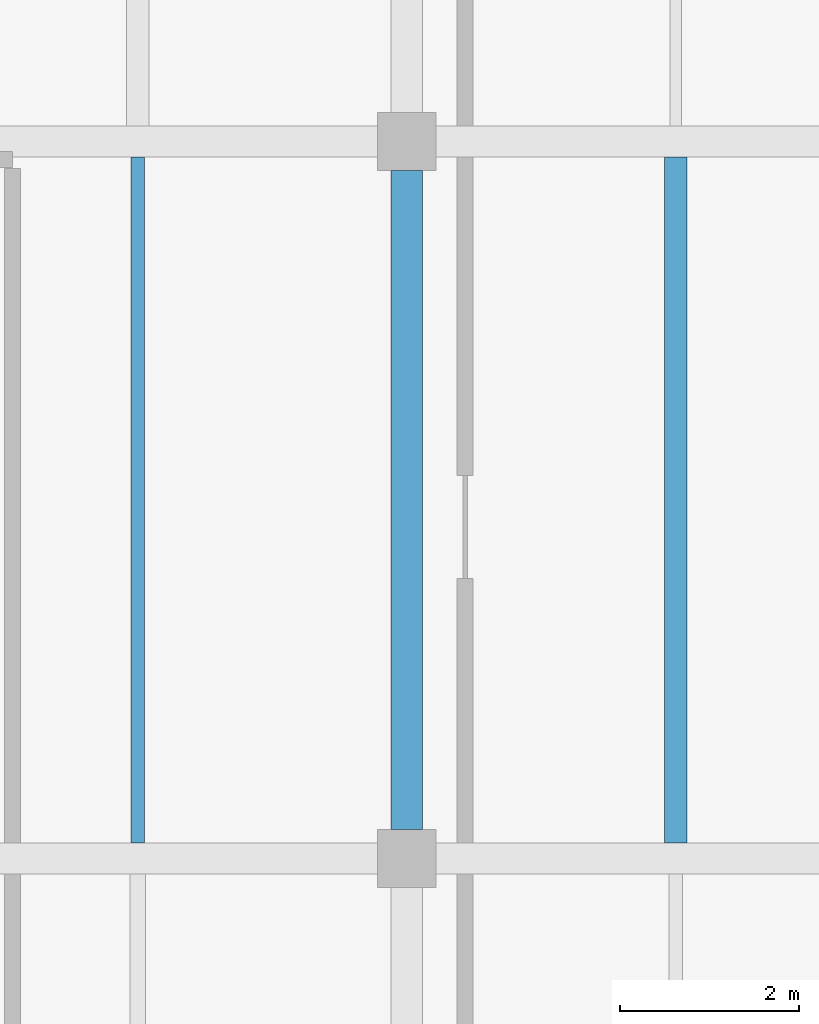
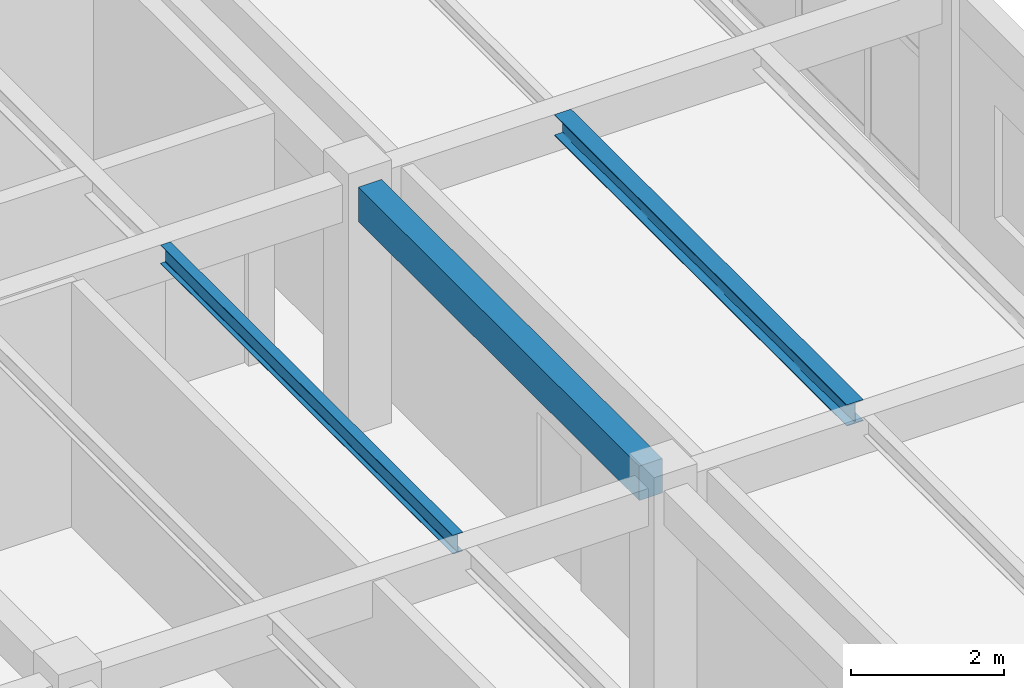
# One storey, part 44 of 71: 3 beams.
"""IFC4 building model written with IfcOpenShell, lengths in metres."""

import ifcopenshell
import ifcopenshell.guid

model = None  # the IFC model being written
_history = None  # IfcOwnerHistory: only IFC2X3 demands one
_inside = {}  # id of a spatial element -> (the spatial element, [elements in it])
_under = {}  # id of a project, library or spatial element -> (it, [spatial elements below it])
_declared = {}  # id of a project -> (the project, [libraries it declares])
_typed = {}  # id of a type object -> (the type object, [elements of that type])
_made_of = {}  # id of a material, layer set ... -> (it, [elements and type objects made of it])


def new_model(schema):
    """Start an empty IFC model of exactly this schema.

    Asked for "IFC4X3", IfcOpenShell would pick the latest addendum, in which some entities
    have other attributes; the version numbers below select the first issue.
    IFC2X3 requires an IfcOwnerHistory on every rooted entity: one is made here for all.
    """
    global model, _history
    if schema == "IFC4X3":
        model = ifcopenshell.file(schema_version=(4, 3, 0, 0))
    else:
        model = ifcopenshell.file(schema=schema)
    _inside.clear()
    _under.clear()
    _declared.clear()
    _typed.clear()
    _made_of.clear()
    _history = None
    if model.schema == "IFC2X3":
        org = make("IfcOrganization", Name="unknown")
        user = make(
            "IfcPersonAndOrganization",
            ThePerson=make("IfcPerson", FamilyName="unknown"),
            TheOrganization=org,
        )
        app = make(
            "IfcApplication",
            ApplicationDeveloper=org,
            Version="unknown",
            ApplicationFullName="unknown",
            ApplicationIdentifier="unknown",
        )
        _history = make(
            "IfcOwnerHistory",
            OwningUser=user,
            OwningApplication=app,
            ChangeAction="ADDED",
            CreationDate=0,
        )
    return model


def make(cls, **values):
    """One entity of the class cls with the attributes given. An attribute that is None is left unset."""
    return model.create_entity(
        cls, **{name: value for name, value in values.items() if value is not None}
    )


def rooted(cls, **values):
    """An entity with a GlobalId (a new one), such as an element, a storey or a relation."""
    return make(cls, GlobalId=ifcopenshell.guid.new(), OwnerHistory=_history, **values)


def si_unit(unit_type, name, prefix=None):
    """IfcSIUnit, for example si_unit("LENGTHUNIT", "METRE", prefix="MILLI")."""
    return make("IfcSIUnit", UnitType=unit_type, Prefix=prefix, Name=name)


def derived_unit(unit_type, elements):
    """IfcDerivedUnit: a product of units, each with its exponent."""
    return make(
        "IfcDerivedUnit",
        Elements=[
            make("IfcDerivedUnitElement", Unit=unit, Exponent=power)
            for unit, power in elements
        ],
        UnitType=unit_type,
    )


def assignment(units):
    """IfcUnitAssignment: the units of a project."""
    return None if units is None else make("IfcUnitAssignment", Units=units)


def point(xyz):
    """IfcCartesianPoint."""
    return None if xyz is None else make("IfcCartesianPoint", Coordinates=xyz)


def direction(xyz):
    """IfcDirection."""
    return None if xyz is None else make("IfcDirection", DirectionRatios=xyz)


def frame(location, z_axis=None, x_axis=None):
    """IfcAxis2Placement3D, a coordinate frame: its origin and axes. An axis left out is left unset."""
    return make(
        "IfcAxis2Placement3D",
        Location=point(location),
        Axis=direction(z_axis),
        RefDirection=direction(x_axis),
    )


def frame_2d(location, x_axis=None):
    """IfcAxis2Placement2D, a coordinate frame in the plane: its origin and x axis."""
    return make(
        "IfcAxis2Placement2D", Location=point(location), RefDirection=direction(x_axis)
    )


def origin():
    """The frame at (0, 0, 0) with its axes left unset."""
    return frame((0.0, 0.0, 0.0))


def origin_2d():
    """The frame at (0, 0) in the plane with its x axis left unset."""
    return frame_2d((0.0, 0.0))


def place(relative_to, where):
    """IfcLocalPlacement: puts the frame where relative to a parent placement (None: the world)."""
    return make(
        "IfcLocalPlacement", PlacementRelTo=relative_to, RelativePlacement=where
    )


def context(
    kind, dimensions, precision=None, world=None, true_north=None, identifier=None
):
    """IfcGeometricRepresentationContext, for example the 3D "Model" context."""
    return make(
        "IfcGeometricRepresentationContext",
        ContextIdentifier=identifier,
        ContextType=kind,
        CoordinateSpaceDimension=dimensions,
        Precision=precision,
        WorldCoordinateSystem=world,
        TrueNorth=true_north,
    )


def subcontext(parent, identifier, kind, view, scale=None):
    """IfcGeometricRepresentationSubContext, for example "Body" below "Model"."""
    return make(
        "IfcGeometricRepresentationSubContext",
        ContextIdentifier=identifier,
        ContextType=kind,
        ParentContext=parent,
        TargetScale=scale,
        TargetView=view,
    )


def project(units=None, contexts=None):
    """IfcProject with its units and contexts."""
    return rooted(
        "IfcProject",
        Name="project",
        RepresentationContexts=contexts,
        UnitsInContext=assignment(units),
    )


def spatial(cls, under=None, at=None, **own):
    """A site, building, storey or space (cls), placed at a placement, below another one or the project."""
    s = rooted(cls, ObjectPlacement=at, **own)
    if under is not None:
        _under.setdefault(under.id(), (under, []))[1].append(s)
    return s


def profile(cls, at=None, kind="AREA", **sizes):
    """A parametric profile (cls). Its sizes go by their IFC names, for example OverallWidth=200.0."""
    return make(cls, ProfileType=kind, Position=at, **sizes)


def rectangle(**sizes):
    """IfcRectangleProfileDef."""
    return profile("IfcRectangleProfileDef", **sizes)


def i_section(**sizes):
    """IfcIShapeProfileDef."""
    return profile("IfcIShapeProfileDef", **sizes)


def extrude(swept, where, along, depth):
    """IfcExtrudedAreaSolid: the profile swept, set in the frame where, extruded along a direction by depth."""
    return make(
        "IfcExtrudedAreaSolid",
        SweptArea=swept,
        Position=where,
        ExtrudedDirection=direction(along),
        Depth=depth,
    )


def shape(context_of_items, identifier, shape_type, items):
    """IfcShapeRepresentation: the items that make up one representation, for example the "Body"."""
    return make(
        "IfcShapeRepresentation",
        ContextOfItems=context_of_items,
        RepresentationIdentifier=identifier,
        RepresentationType=shape_type,
        Items=items,
    )


def material(Name=None, Category=None):
    """IfcMaterial."""
    return make("IfcMaterial", Name=Name, Category=Category)


def material_profile(
    of_material, cross_section, Name=None, Category=None, Priority=None
):
    """IfcMaterialProfile: a cross section and its material."""
    return make(
        "IfcMaterialProfile",
        Name=Name,
        Material=of_material,
        Profile=cross_section,
        Priority=Priority,
        Category=Category,
    )


def profile_set(profiles, Name=None, composite=None):
    """IfcMaterialProfileSet."""
    return make(
        "IfcMaterialProfileSet",
        Name=Name,
        MaterialProfiles=profiles,
        CompositeProfile=composite,
    )


def made_of(thing, what):
    """Note that an element or type object is made of a material, layer set ...; save() writes the relation."""
    if what is not None:
        _made_of.setdefault(what.id(), (what, []))[1].append(thing)
    return thing


def type_object(cls, material=None, **own):
    """A type object (cls), such as IfcWallType, which elements share."""
    return made_of(rooted(cls, **own), material)


def element(
    cls,
    number,
    at=None,
    inside=None,
    cuts=None,
    type_object=None,
    material=None,
    context=None,
    identifier="Body",
    shape_type=None,
    held_by="IfcProductDefinitionShape",
    body=None,
    shapes=None,
    **own,
):
    """One element of the class cls, such as IfcWall. Its Tag is "e" and its number.

    at: its placement. inside: the storey or other place that contains it. cuts: it is an
    opening in that element (IfcRelVoidsElement). A single representation is given by context,
    identifier, shape_type and body (its items); several are given by shapes. held_by: the class
    of the entity that holds the representations. save() writes the other relations.
    """
    e = rooted(cls, Tag="e%d" % number, ObjectPlacement=at, **own)
    if body is not None:
        shapes = [shape(context, identifier, shape_type, body)]
    if shapes is not None:
        e.Representation = make(held_by, Representations=shapes)
    if inside is not None:
        _inside.setdefault(inside.id(), (inside, []))[1].append(e)
    if cuts is not None:
        rooted(
            "IfcRelVoidsElement", RelatingBuildingElement=cuts, RelatedOpeningElement=e
        )
    if type_object is not None:
        _typed.setdefault(type_object.id(), (type_object, []))[1].append(e)
    return made_of(e, material)


def aggregate(whole, parts):
    """IfcRelAggregates: a whole, such as a stair, and the parts it consists of."""
    return rooted("IfcRelAggregates", RelatingObject=whole, RelatedObjects=parts)


def save(model, path):
    """Write the relations noted so far, then the file.

    IfcRelAggregates (storeys below a building ...), IfcRelContainedInSpatialStructure (elements
    in a storey), IfcRelDefinesByType, IfcRelAssociatesMaterial and IfcRelDeclares: one each for
    every whole, place, type object, material and project.
    """
    for whole, parts in _under.values():
        aggregate(whole, parts)
    for where, things in _inside.values():
        rooted(
            "IfcRelContainedInSpatialStructure",
            RelatedElements=things,
            RelatingStructure=where,
        )
    for kind, things in _typed.values():
        rooted("IfcRelDefinesByType", RelatedObjects=things, RelatingType=kind)
    for what, things in _made_of.values():
        rooted("IfcRelAssociatesMaterial", RelatedObjects=things, RelatingMaterial=what)
    for by, libraries in _declared.values():
        rooted("IfcRelDeclares", RelatingContext=by, RelatedDefinitions=libraries)
    model.write(path)


model = new_model("IFC4")

# Units and contexts
model_context = context("Model", 3, precision=1e-05, world=origin(), true_north=direction((0.0, 1.0)))
body_context = subcontext(model_context, "Body", "Model", "MODEL_VIEW")
ifc_project = project(units=[si_unit("LENGTHUNIT", "METRE"), si_unit("AREAUNIT", "SQUARE_METRE"), si_unit("VOLUMEUNIT", "CUBIC_METRE"), si_unit("PLANEANGLEUNIT", "RADIAN"), si_unit("MASSUNIT", "GRAM", prefix="KILO"), derived_unit("THERMALTRANSMITTANCEUNIT", [(si_unit("MASSUNIT", "GRAM", prefix="KILO"), 1), (si_unit("TIMEUNIT", "SECOND"), -3), (si_unit("THERMODYNAMICTEMPERATUREUNIT", "KELVIN"), -1)])], contexts=[model_context])

# Site, building, storey
site_placement = place(None, origin())
site = spatial("IfcSite", under=ifc_project, at=site_placement, CompositionType="ELEMENT")
building_placement = place(site_placement, origin())
building = spatial("IfcBuilding", under=site, at=building_placement, Name="Zhenchuan Archway Interchange", CompositionType="ELEMENT")
storey_placement = place(building_placement, frame((0.0, 0.0, 18.60009765625)))
storey = spatial("IfcBuildingStorey", under=building, at=storey_placement, Name="L04", CompositionType="ELEMENT", Elevation=18.60009765625)

# Beams
ifc_material_1 = material(Name="Concrete C40", Category="concrete")
ifc_material_profile_1 = material_profile(ifc_material_1, rectangle(XDim=0.35009765625, YDim=0.550048828125, at=origin_2d()), Name="RC 350x550")
ifc_profile_set_1 = profile_set([ifc_material_profile_1], Name="Concrete C40")
beam_type_1 = type_object("IfcBeamType", Name="BM_RC_350x550", PredefinedType="BEAM", material=ifc_profile_set_1)
beam_1_placement = place(storey_placement, frame((162.0, 80.324951171875, 3.664794921875), z_axis=(0.0, 1.0, 0.0), x_axis=(-1.0, 0.0, 0.0)))
element("IfcBeam", 1, at=beam_1_placement, inside=storey, type_object=beam_type_1, Name="Beam 19:L-M (L04)", PredefinedType="BEAM", context=body_context, shape_type="SweptSolid", body=[
    extrude(rectangle(XDim=0.35009765625, YDim=0.550048828125, at=origin_2d()), origin(), (0.0, 0.0, 1.0), 7.35009765625),
])
ifc_material_2 = material(Name="Steel Q355", Category="steel")
ifc_material_profile_2 = material_profile(ifc_material_2, i_section(OverallWidth=0.25, OverallDepth=0.340087890625, WebThickness=0.009033203125, FlangeThickness=0.013916015625, FilletRadius=0.01806640625, at=origin_2d()), Name="HM 340x250")
ifc_profile_set_2 = profile_set([ifc_material_profile_2], Name="Steel Q355")
beam_type_2 = type_object("IfcBeamType", Name="JST_STL_HM340", PredefinedType="JOIST", material=ifc_profile_set_2)
beam_2_placement = place(storey_placement, frame((165.0, 80.175048828125, 3.77001953125), z_axis=(0.0, 1.0, 0.0), x_axis=(-1.0, 0.0, 0.0)))
element("IfcBeam", 2, at=beam_2_placement, inside=storey, type_object=beam_type_2, Name="Secondary joist 19-20/L-M #1 (L04)", PredefinedType="JOIST", context=body_context, shape_type="SweptSolid", body=[
    extrude(i_section(OverallWidth=0.25, OverallDepth=0.340087890625, WebThickness=0.009033203125, FlangeThickness=0.013916015625, FilletRadius=0.01806640625, at=origin_2d()), origin(), (0.0, 0.0, 1.0), 7.64990234375),
])
ifc_material_profile_3 = material_profile(ifc_material_2, i_section(OverallWidth=0.14990234375, OverallDepth=0.300048828125, WebThickness=0.006591796875, FlangeThickness=0.009033203125, FilletRadius=0.012939453125, at=origin_2d()), Name="HN 300x150")
ifc_profile_set_3 = profile_set([ifc_material_profile_3], Name="Steel Q355")
beam_type_3 = type_object("IfcBeamType", Name="JST_STL_HN300", PredefinedType="JOIST", material=ifc_profile_set_3)
beam_3_placement = place(storey_placement, frame((159.0, 80.175048828125, 3.789794921875), z_axis=(0.0, 1.0, 0.0), x_axis=(-1.0, 0.0, 0.0)))
element("IfcBeam", 3, at=beam_3_placement, inside=storey, type_object=beam_type_3, Name="Secondary joist 18-19/L-M #2 (L04)", PredefinedType="JOIST", context=body_context, shape_type="SweptSolid", body=[
    extrude(i_section(OverallWidth=0.14990234375, OverallDepth=0.300048828125, WebThickness=0.006591796875, FlangeThickness=0.009033203125, FilletRadius=0.012939453125, at=origin_2d()), origin(), (0.0, 0.0, 1.0), 7.64990234375),
])

save(model, "model.ifc")
